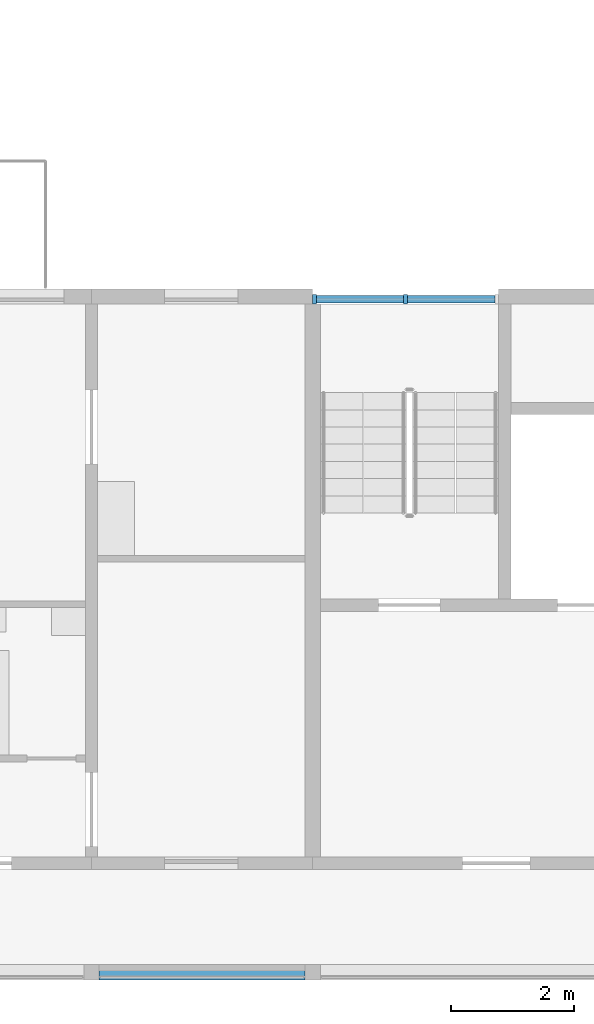
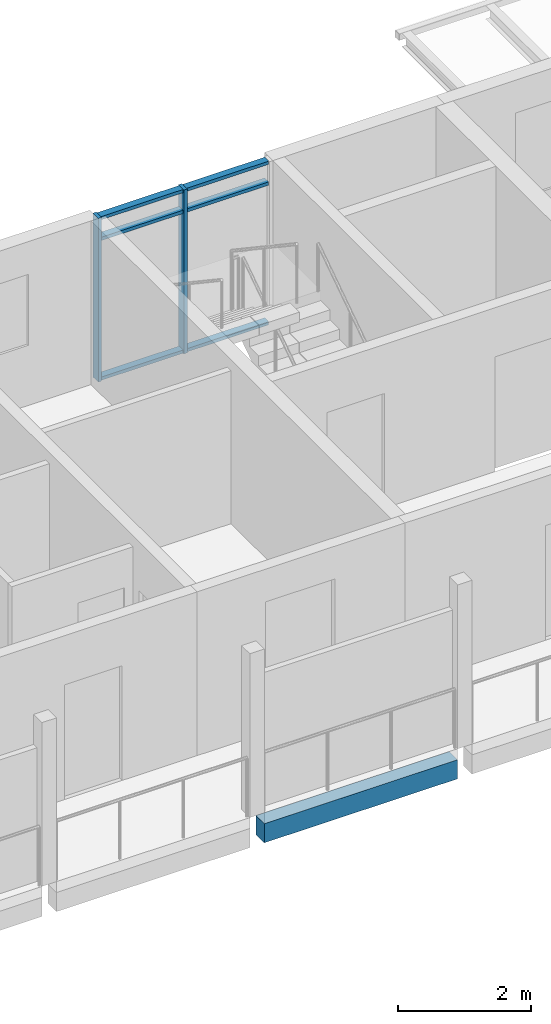
# One storey, part 7 of 87: 8 members, 1 beam, 1 element without a shape of its own.
"""IFC4 building model written with IfcOpenShell, lengths in metres."""

import ifcopenshell
import ifcopenshell.guid

model = None  # the IFC model being written
_history = None  # IfcOwnerHistory: only IFC2X3 demands one
_inside = {}  # id of a spatial element -> (the spatial element, [elements in it])
_under = {}  # id of a project, library or spatial element -> (it, [spatial elements below it])
_declared = {}  # id of a project -> (the project, [libraries it declares])
_typed = {}  # id of a type object -> (the type object, [elements of that type])
_made_of = {}  # id of a material, layer set ... -> (it, [elements and type objects made of it])


def new_model(schema):
    """Start an empty IFC model of exactly this schema.

    Asked for "IFC4X3", IfcOpenShell would pick the latest addendum, in which some entities
    have other attributes; the version numbers below select the first issue.
    IFC2X3 requires an IfcOwnerHistory on every rooted entity: one is made here for all.
    """
    global model, _history
    if schema == "IFC4X3":
        model = ifcopenshell.file(schema_version=(4, 3, 0, 0))
    else:
        model = ifcopenshell.file(schema=schema)
    _inside.clear()
    _under.clear()
    _declared.clear()
    _typed.clear()
    _made_of.clear()
    _history = None
    if model.schema == "IFC2X3":
        org = make("IfcOrganization", Name="unknown")
        user = make(
            "IfcPersonAndOrganization",
            ThePerson=make("IfcPerson", FamilyName="unknown"),
            TheOrganization=org,
        )
        app = make(
            "IfcApplication",
            ApplicationDeveloper=org,
            Version="unknown",
            ApplicationFullName="unknown",
            ApplicationIdentifier="unknown",
        )
        _history = make(
            "IfcOwnerHistory",
            OwningUser=user,
            OwningApplication=app,
            ChangeAction="ADDED",
            CreationDate=0,
        )
    return model


def make(cls, **values):
    """One entity of the class cls with the attributes given. An attribute that is None is left unset."""
    return model.create_entity(
        cls, **{name: value for name, value in values.items() if value is not None}
    )


def rooted(cls, **values):
    """An entity with a GlobalId (a new one), such as an element, a storey or a relation."""
    return make(cls, GlobalId=ifcopenshell.guid.new(), OwnerHistory=_history, **values)


def si_unit(unit_type, name, prefix=None):
    """IfcSIUnit, for example si_unit("LENGTHUNIT", "METRE", prefix="MILLI")."""
    return make("IfcSIUnit", UnitType=unit_type, Prefix=prefix, Name=name)


def assignment(units):
    """IfcUnitAssignment: the units of a project."""
    return None if units is None else make("IfcUnitAssignment", Units=units)


def point(xyz):
    """IfcCartesianPoint."""
    return None if xyz is None else make("IfcCartesianPoint", Coordinates=xyz)


def direction(xyz):
    """IfcDirection."""
    return None if xyz is None else make("IfcDirection", DirectionRatios=xyz)


def frame(location, z_axis=None, x_axis=None):
    """IfcAxis2Placement3D, a coordinate frame: its origin and axes. An axis left out is left unset."""
    return make(
        "IfcAxis2Placement3D",
        Location=point(location),
        Axis=direction(z_axis),
        RefDirection=direction(x_axis),
    )


def frame_2d(location, x_axis=None):
    """IfcAxis2Placement2D, a coordinate frame in the plane: its origin and x axis."""
    return make(
        "IfcAxis2Placement2D", Location=point(location), RefDirection=direction(x_axis)
    )


def origin():
    """The frame at (0, 0, 0) with its axes left unset."""
    return frame((0.0, 0.0, 0.0))


def origin_2d():
    """The frame at (0, 0) in the plane with its x axis left unset."""
    return frame_2d((0.0, 0.0))


def place(relative_to, where):
    """IfcLocalPlacement: puts the frame where relative to a parent placement (None: the world)."""
    return make(
        "IfcLocalPlacement", PlacementRelTo=relative_to, RelativePlacement=where
    )


def context(
    kind, dimensions, precision=None, world=None, true_north=None, identifier=None
):
    """IfcGeometricRepresentationContext, for example the 3D "Model" context."""
    return make(
        "IfcGeometricRepresentationContext",
        ContextIdentifier=identifier,
        ContextType=kind,
        CoordinateSpaceDimension=dimensions,
        Precision=precision,
        WorldCoordinateSystem=world,
        TrueNorth=true_north,
    )


def subcontext(parent, identifier, kind, view, scale=None):
    """IfcGeometricRepresentationSubContext, for example "Body" below "Model"."""
    return make(
        "IfcGeometricRepresentationSubContext",
        ContextIdentifier=identifier,
        ContextType=kind,
        ParentContext=parent,
        TargetScale=scale,
        TargetView=view,
    )


def project(units=None, contexts=None):
    """IfcProject with its units and contexts."""
    return rooted(
        "IfcProject",
        Name="project",
        RepresentationContexts=contexts,
        UnitsInContext=assignment(units),
    )


def spatial(cls, under=None, at=None, **own):
    """A site, building, storey or space (cls), placed at a placement, below another one or the project."""
    s = rooted(cls, ObjectPlacement=at, **own)
    if under is not None:
        _under.setdefault(under.id(), (under, []))[1].append(s)
    return s


def profile(cls, at=None, kind="AREA", **sizes):
    """A parametric profile (cls). Its sizes go by their IFC names, for example OverallWidth=200.0."""
    return make(cls, ProfileType=kind, Position=at, **sizes)


def rectangle(**sizes):
    """IfcRectangleProfileDef."""
    return profile("IfcRectangleProfileDef", **sizes)


def extrude(swept, where, along, depth):
    """IfcExtrudedAreaSolid: the profile swept, set in the frame where, extruded along a direction by depth."""
    return make(
        "IfcExtrudedAreaSolid",
        SweptArea=swept,
        Position=where,
        ExtrudedDirection=direction(along),
        Depth=depth,
    )


def shape(context_of_items, identifier, shape_type, items):
    """IfcShapeRepresentation: the items that make up one representation, for example the "Body"."""
    return make(
        "IfcShapeRepresentation",
        ContextOfItems=context_of_items,
        RepresentationIdentifier=identifier,
        RepresentationType=shape_type,
        Items=items,
    )


def material(Name=None, Category=None):
    """IfcMaterial."""
    return make("IfcMaterial", Name=Name, Category=Category)


def material_profile(
    of_material, cross_section, Name=None, Category=None, Priority=None
):
    """IfcMaterialProfile: a cross section and its material."""
    return make(
        "IfcMaterialProfile",
        Name=Name,
        Material=of_material,
        Profile=cross_section,
        Priority=Priority,
        Category=Category,
    )


def profile_set(profiles, Name=None, composite=None):
    """IfcMaterialProfileSet."""
    return make(
        "IfcMaterialProfileSet",
        Name=Name,
        MaterialProfiles=profiles,
        CompositeProfile=composite,
    )


def made_of(thing, what):
    """Note that an element or type object is made of a material, layer set ...; save() writes the relation."""
    if what is not None:
        _made_of.setdefault(what.id(), (what, []))[1].append(thing)
    return thing


def type_object(cls, material=None, **own):
    """A type object (cls), such as IfcWallType, which elements share."""
    return made_of(rooted(cls, **own), material)


def element(
    cls,
    number,
    at=None,
    inside=None,
    cuts=None,
    type_object=None,
    material=None,
    context=None,
    identifier="Body",
    shape_type=None,
    held_by="IfcProductDefinitionShape",
    body=None,
    shapes=None,
    **own,
):
    """One element of the class cls, such as IfcWall. Its Tag is "e" and its number.

    at: its placement. inside: the storey or other place that contains it. cuts: it is an
    opening in that element (IfcRelVoidsElement). A single representation is given by context,
    identifier, shape_type and body (its items); several are given by shapes. held_by: the class
    of the entity that holds the representations. save() writes the other relations.
    """
    e = rooted(cls, Tag="e%d" % number, ObjectPlacement=at, **own)
    if body is not None:
        shapes = [shape(context, identifier, shape_type, body)]
    if shapes is not None:
        e.Representation = make(held_by, Representations=shapes)
    if inside is not None:
        _inside.setdefault(inside.id(), (inside, []))[1].append(e)
    if cuts is not None:
        rooted(
            "IfcRelVoidsElement", RelatingBuildingElement=cuts, RelatedOpeningElement=e
        )
    if type_object is not None:
        _typed.setdefault(type_object.id(), (type_object, []))[1].append(e)
    return made_of(e, material)


def aggregate(whole, parts):
    """IfcRelAggregates: a whole, such as a stair, and the parts it consists of."""
    return rooted("IfcRelAggregates", RelatingObject=whole, RelatedObjects=parts)


def save(model, path):
    """Write the relations noted so far, then the file.

    IfcRelAggregates (storeys below a building ...), IfcRelContainedInSpatialStructure (elements
    in a storey), IfcRelDefinesByType, IfcRelAssociatesMaterial and IfcRelDeclares: one each for
    every whole, place, type object, material and project.
    """
    for whole, parts in _under.values():
        aggregate(whole, parts)
    for where, things in _inside.values():
        rooted(
            "IfcRelContainedInSpatialStructure",
            RelatedElements=things,
            RelatingStructure=where,
        )
    for kind, things in _typed.values():
        rooted("IfcRelDefinesByType", RelatedObjects=things, RelatingType=kind)
    for what, things in _made_of.values():
        rooted("IfcRelAssociatesMaterial", RelatedObjects=things, RelatingMaterial=what)
    for by, libraries in _declared.values():
        rooted("IfcRelDeclares", RelatingContext=by, RelatedDefinitions=libraries)
    model.write(path)


model = new_model("IFC4")

# Units and contexts
model_context = context("Model", 3, precision=1e-05, world=origin(), true_north=direction((0.0, 1.0)))
body_context = subcontext(model_context, "Body", "Model", "MODEL_VIEW")
ifc_project = project(units=[si_unit("LENGTHUNIT", "METRE"), si_unit("AREAUNIT", "SQUARE_METRE"), si_unit("VOLUMEUNIT", "CUBIC_METRE"), si_unit("PLANEANGLEUNIT", "RADIAN"), si_unit("MASSUNIT", "GRAM", prefix="KILO")], contexts=[model_context])

# Site, building, storey
site_placement = place(None, origin())
site = spatial("IfcSite", under=ifc_project, at=site_placement, CompositionType="ELEMENT")
building_placement = place(site_placement, origin())
building = spatial("IfcBuilding", under=site, at=building_placement, Name="Ridgestep Commons", CompositionType="ELEMENT")
storey_placement = place(building_placement, frame((0.0, 0.0, 27.0)))
storey = spatial("IfcBuildingStorey", under=building, at=storey_placement, Name="L09", CompositionType="ELEMENT", Elevation=27.0)

# Beam
ifc_material_1 = material(Name="Precast concrete C40/50", Category="concrete")
ifc_material_profile_1 = material_profile(ifc_material_1, rectangle(XDim=0.25, YDim=0.35009765625, at=origin_2d()), Name="PC 250x350")
ifc_profile_set_1 = profile_set([ifc_material_profile_1], Name="Precast concrete C40/50")
beam_type = type_object("IfcBeamType", Name="Loggia edge beam 250 x 350", PredefinedType="SPANDREL", material=ifc_profile_set_1)
beam_placement = place(storey_placement, frame((69.72509765625, 11.875, -0.375), z_axis=(1.0, 0.0, 0.0), x_axis=(0.0, 1.0, 0.0)))
element("IfcBeam", 1, at=beam_placement, inside=storey, type_object=beam_type, Name="Loggia edge beam A4T3 L09", PredefinedType="SPANDREL", context=body_context, shape_type="SweptSolid", body=[
    extrude(rectangle(XDim=0.25, YDim=0.35009765625, at=origin_2d()), origin(), (0.0, 0.0, 1.0), 3.349853515625),
])

# Curtain wall, members
ifc_material_2 = material(Name="Aluminium 6063-T6 and glass", Category="aluminium")
curtain_wall_type = type_object("IfcCurtainWallType", Name="Curtain wall stair strip", PredefinedType="NOTDEFINED", material=ifc_material_2)
curtain_wall_placement = place(storey_placement, origin())
curtain_wall = element("IfcCurtainWall", 2, at=curtain_wall_placement, inside=storey, type_object=curtain_wall_type, Name="Curtain wall A4C level 09", PredefinedType="NOTDEFINED")
ifc_material_3 = material(Name="Aluminium 6063-T6", Category="aluminium")
ifc_material_profile_2 = material_profile(ifc_material_3, rectangle(XDim=0.159912109375, YDim=0.06005859375, at=origin_2d()), Name="Mullion 60 x 160")
ifc_profile_set_2 = profile_set([ifc_material_profile_2], Name="Aluminium 6063-T6")
member_type_1 = type_object("IfcMemberType", Name="Mullion 60 x 160", PredefinedType="MULLION", material=ifc_profile_set_2)
member_1_placement = place(storey_placement, frame((73.22998046875, 22.830078125, 0.0), z_axis=(0.0, 0.0, 1.0), x_axis=(0.0, 1.0, 0.0)))
member_1 = element("IfcMember", 3, at=member_1_placement, type_object=member_type_1, Name="CW1 mullion 1", PredefinedType="MULLION", context=body_context, shape_type="SweptSolid", body=[
    extrude(rectangle(XDim=0.159912109375, YDim=0.06005859375, at=origin_2d()), origin(), (0.0, 0.0, 1.0), 3.0),
])
member_2_placement = place(storey_placement, frame((74.71240234375, 22.830078125, 0.0), z_axis=(0.0, 0.0, 1.0), x_axis=(0.0, 1.0, 0.0)))
member_2 = element("IfcMember", 4, at=member_2_placement, type_object=member_type_1, Name="CW1 mullion 2", PredefinedType="MULLION", context=body_context, shape_type="SweptSolid", body=[
    extrude(rectangle(XDim=0.159912109375, YDim=0.06005859375, at=origin_2d()), origin(), (0.0, 0.0, 1.0), 3.0),
])
ifc_material_4 = material(Name="Aluminium 6063-T6", Category="aluminium")
ifc_material_profile_3 = material_profile(ifc_material_4, rectangle(XDim=0.1201171875, YDim=0.06005859375, at=origin_2d()), Name="Transom 60 x 120")
ifc_profile_set_3 = profile_set([ifc_material_profile_3], Name="Aluminium 6063-T6")
member_type_2 = type_object("IfcMemberType", Name="Transom 60 x 120", PredefinedType="USERDEFINED", material=ifc_profile_set_3)
member_3_placement = place(storey_placement, frame((73.260009765625, 22.830078125, 0.030029296875), z_axis=(1.0, 0.0, 0.0), x_axis=(0.0, 1.0, 0.0)))
member_3 = element("IfcMember", 5, at=member_3_placement, type_object=member_type_2, Name="CW1 transom 1.1", ObjectType="TRANSOM", PredefinedType="USERDEFINED", context=body_context, shape_type="SweptSolid", body=[
    extrude(rectangle(XDim=0.1201171875, YDim=0.06005859375, at=origin_2d()), origin(), (0.0, 0.0, 1.0), 1.422607421875),
])
member_4_placement = place(storey_placement, frame((73.260009765625, 22.830078125, 2.590087890625), z_axis=(1.0, 0.0, 0.0), x_axis=(0.0, 1.0, 0.0)))
member_4 = element("IfcMember", 6, at=member_4_placement, type_object=member_type_2, Name="CW1 transom 1.2", ObjectType="TRANSOM", PredefinedType="USERDEFINED", context=body_context, shape_type="SweptSolid", body=[
    extrude(rectangle(XDim=0.1201171875, YDim=0.06005859375, at=origin_2d()), origin(), (0.0, 0.0, 1.0), 1.422607421875),
])
member_5_placement = place(storey_placement, frame((73.260009765625, 22.830078125, 2.969970703125), z_axis=(1.0, 0.0, 0.0), x_axis=(0.0, 1.0, 0.0)))
member_5 = element("IfcMember", 7, at=member_5_placement, type_object=member_type_2, Name="CW1 transom 1.3", ObjectType="TRANSOM", PredefinedType="USERDEFINED", context=body_context, shape_type="SweptSolid", body=[
    extrude(rectangle(XDim=0.1201171875, YDim=0.06005859375, at=origin_2d()), origin(), (0.0, 0.0, 1.0), 1.422607421875),
])
member_6_placement = place(storey_placement, frame((74.742431640625, 22.830078125, 0.030029296875), z_axis=(1.0, 0.0, 0.0), x_axis=(0.0, 1.0, 0.0)))
member_6 = element("IfcMember", 8, at=member_6_placement, type_object=member_type_2, Name="CW1 transom 2.1", ObjectType="TRANSOM", PredefinedType="USERDEFINED", context=body_context, shape_type="SweptSolid", body=[
    extrude(rectangle(XDim=0.1201171875, YDim=0.06005859375, at=origin_2d()), origin(), (0.0, 0.0, 1.0), 1.422607421875),
])
member_7_placement = place(storey_placement, frame((74.742431640625, 22.830078125, 2.590087890625), z_axis=(1.0, 0.0, 0.0), x_axis=(0.0, 1.0, 0.0)))
member_7 = element("IfcMember", 9, at=member_7_placement, type_object=member_type_2, Name="CW1 transom 2.2", ObjectType="TRANSOM", PredefinedType="USERDEFINED", context=body_context, shape_type="SweptSolid", body=[
    extrude(rectangle(XDim=0.1201171875, YDim=0.06005859375, at=origin_2d()), origin(), (0.0, 0.0, 1.0), 1.422607421875),
])
member_8_placement = place(storey_placement, frame((74.742431640625, 22.830078125, 2.969970703125), z_axis=(1.0, 0.0, 0.0), x_axis=(0.0, 1.0, 0.0)))
member_8 = element("IfcMember", 10, at=member_8_placement, type_object=member_type_2, Name="CW1 transom 2.3", ObjectType="TRANSOM", PredefinedType="USERDEFINED", context=body_context, shape_type="SweptSolid", body=[
    extrude(rectangle(XDim=0.1201171875, YDim=0.06005859375, at=origin_2d()), origin(), (0.0, 0.0, 1.0), 1.422607421875),
])
aggregate(curtain_wall, [member_1, member_2, member_3, member_4, member_5, member_6, member_7, member_8])

save(model, "model.ifc")
